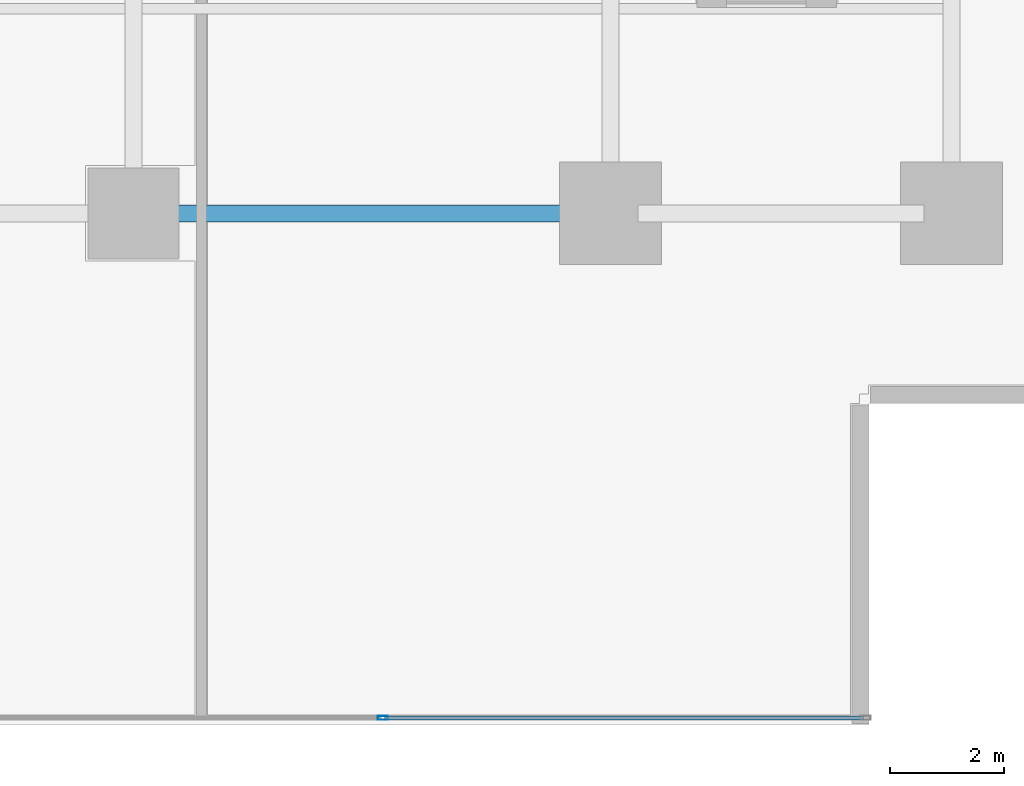
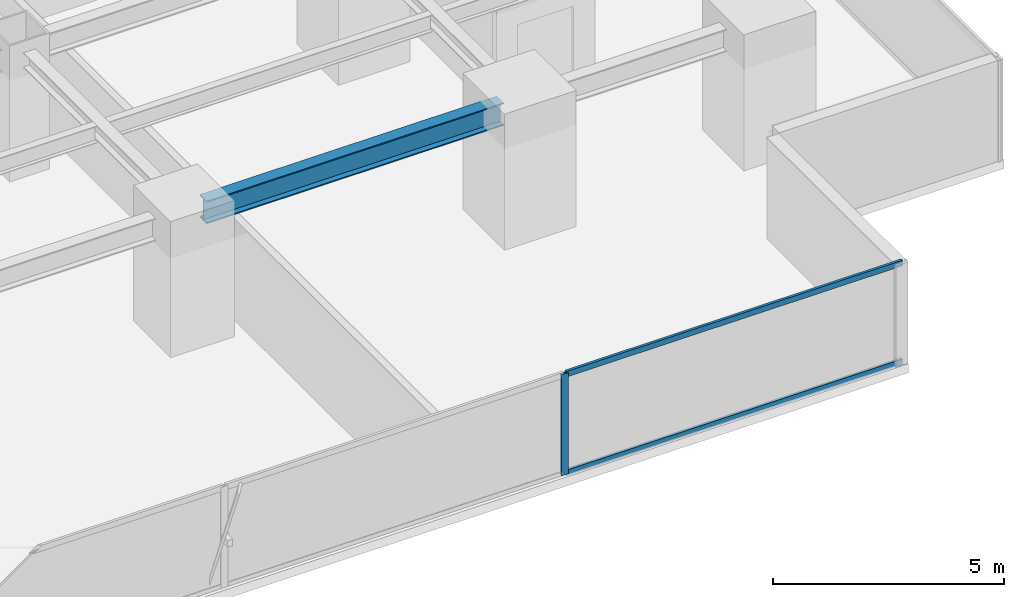
# One storey, part 11 of 33: 3 members, 1 beam, 1 element without a shape of its own.
"""IFC4 building model written with IfcOpenShell, lengths in metres."""

import ifcopenshell
import ifcopenshell.guid

model = None  # the IFC model being written
_history = None  # IfcOwnerHistory: only IFC2X3 demands one
_inside = {}  # id of a spatial element -> (the spatial element, [elements in it])
_under = {}  # id of a project, library or spatial element -> (it, [spatial elements below it])
_declared = {}  # id of a project -> (the project, [libraries it declares])
_typed = {}  # id of a type object -> (the type object, [elements of that type])
_made_of = {}  # id of a material, layer set ... -> (it, [elements and type objects made of it])


def new_model(schema):
    """Start an empty IFC model of exactly this schema.

    Asked for "IFC4X3", IfcOpenShell would pick the latest addendum, in which some entities
    have other attributes; the version numbers below select the first issue.
    IFC2X3 requires an IfcOwnerHistory on every rooted entity: one is made here for all.
    """
    global model, _history
    if schema == "IFC4X3":
        model = ifcopenshell.file(schema_version=(4, 3, 0, 0))
    else:
        model = ifcopenshell.file(schema=schema)
    _inside.clear()
    _under.clear()
    _declared.clear()
    _typed.clear()
    _made_of.clear()
    _history = None
    if model.schema == "IFC2X3":
        org = make("IfcOrganization", Name="unknown")
        user = make(
            "IfcPersonAndOrganization",
            ThePerson=make("IfcPerson", FamilyName="unknown"),
            TheOrganization=org,
        )
        app = make(
            "IfcApplication",
            ApplicationDeveloper=org,
            Version="unknown",
            ApplicationFullName="unknown",
            ApplicationIdentifier="unknown",
        )
        _history = make(
            "IfcOwnerHistory",
            OwningUser=user,
            OwningApplication=app,
            ChangeAction="ADDED",
            CreationDate=0,
        )
    return model


def make(cls, **values):
    """One entity of the class cls with the attributes given. An attribute that is None is left unset."""
    return model.create_entity(
        cls, **{name: value for name, value in values.items() if value is not None}
    )


def rooted(cls, **values):
    """An entity with a GlobalId (a new one), such as an element, a storey or a relation."""
    return make(cls, GlobalId=ifcopenshell.guid.new(), OwnerHistory=_history, **values)


def si_unit(unit_type, name, prefix=None):
    """IfcSIUnit, for example si_unit("LENGTHUNIT", "METRE", prefix="MILLI")."""
    return make("IfcSIUnit", UnitType=unit_type, Prefix=prefix, Name=name)


def assignment(units):
    """IfcUnitAssignment: the units of a project."""
    return None if units is None else make("IfcUnitAssignment", Units=units)


def point(xyz):
    """IfcCartesianPoint."""
    return None if xyz is None else make("IfcCartesianPoint", Coordinates=xyz)


def direction(xyz):
    """IfcDirection."""
    return None if xyz is None else make("IfcDirection", DirectionRatios=xyz)


def frame(location, z_axis=None, x_axis=None):
    """IfcAxis2Placement3D, a coordinate frame: its origin and axes. An axis left out is left unset."""
    return make(
        "IfcAxis2Placement3D",
        Location=point(location),
        Axis=direction(z_axis),
        RefDirection=direction(x_axis),
    )


def frame_2d(location, x_axis=None):
    """IfcAxis2Placement2D, a coordinate frame in the plane: its origin and x axis."""
    return make(
        "IfcAxis2Placement2D", Location=point(location), RefDirection=direction(x_axis)
    )


def origin():
    """The frame at (0, 0, 0) with its axes left unset."""
    return frame((0.0, 0.0, 0.0))


def origin_2d():
    """The frame at (0, 0) in the plane with its x axis left unset."""
    return frame_2d((0.0, 0.0))


def place(relative_to, where):
    """IfcLocalPlacement: puts the frame where relative to a parent placement (None: the world)."""
    return make(
        "IfcLocalPlacement", PlacementRelTo=relative_to, RelativePlacement=where
    )


def context(
    kind, dimensions, precision=None, world=None, true_north=None, identifier=None
):
    """IfcGeometricRepresentationContext, for example the 3D "Model" context."""
    return make(
        "IfcGeometricRepresentationContext",
        ContextIdentifier=identifier,
        ContextType=kind,
        CoordinateSpaceDimension=dimensions,
        Precision=precision,
        WorldCoordinateSystem=world,
        TrueNorth=true_north,
    )


def subcontext(parent, identifier, kind, view, scale=None):
    """IfcGeometricRepresentationSubContext, for example "Body" below "Model"."""
    return make(
        "IfcGeometricRepresentationSubContext",
        ContextIdentifier=identifier,
        ContextType=kind,
        ParentContext=parent,
        TargetScale=scale,
        TargetView=view,
    )


def project(units=None, contexts=None):
    """IfcProject with its units and contexts."""
    return rooted(
        "IfcProject",
        Name="project",
        RepresentationContexts=contexts,
        UnitsInContext=assignment(units),
    )


def spatial(cls, under=None, at=None, **own):
    """A site, building, storey or space (cls), placed at a placement, below another one or the project."""
    s = rooted(cls, ObjectPlacement=at, **own)
    if under is not None:
        _under.setdefault(under.id(), (under, []))[1].append(s)
    return s


def profile(cls, at=None, kind="AREA", **sizes):
    """A parametric profile (cls). Its sizes go by their IFC names, for example OverallWidth=200.0."""
    return make(cls, ProfileType=kind, Position=at, **sizes)


def hollow_rectangle(**sizes):
    """IfcRectangleHollowProfileDef."""
    return profile("IfcRectangleHollowProfileDef", **sizes)


def i_section(**sizes):
    """IfcIShapeProfileDef."""
    return profile("IfcIShapeProfileDef", **sizes)


def extrude(swept, where, along, depth):
    """IfcExtrudedAreaSolid: the profile swept, set in the frame where, extruded along a direction by depth."""
    return make(
        "IfcExtrudedAreaSolid",
        SweptArea=swept,
        Position=where,
        ExtrudedDirection=direction(along),
        Depth=depth,
    )


def shape(context_of_items, identifier, shape_type, items):
    """IfcShapeRepresentation: the items that make up one representation, for example the "Body"."""
    return make(
        "IfcShapeRepresentation",
        ContextOfItems=context_of_items,
        RepresentationIdentifier=identifier,
        RepresentationType=shape_type,
        Items=items,
    )


def source(mapping_origin, context_of_items, identifier, shape_type, items):
    """IfcRepresentationMap: a shape defined once, which mapped items show again and again."""
    return make(
        "IfcRepresentationMap",
        MappingOrigin=mapping_origin,
        MappedRepresentation=shape(context_of_items, identifier, shape_type, items),
    )


def transform(
    local_origin,
    x_axis=None,
    y_axis=None,
    z_axis=None,
    scale=None,
    scale2=None,
    scale3=None,
    uniform=True,
):
    """IfcCartesianTransformationOperator3D, or its non-uniform kind. x_axis, y_axis, z_axis: its Axis1, 2, 3."""
    if uniform:
        return make(
            "IfcCartesianTransformationOperator3D",
            Axis1=direction(x_axis),
            Axis2=direction(y_axis),
            LocalOrigin=point(local_origin),
            Scale=scale,
            Axis3=direction(z_axis),
        )
    return make(
        "IfcCartesianTransformationOperator3DnonUniform",
        Axis1=direction(x_axis),
        Axis2=direction(y_axis),
        LocalOrigin=point(local_origin),
        Scale=scale,
        Axis3=direction(z_axis),
        Scale2=scale2,
        Scale3=scale3,
    )


def mapped(mapping_source, mapping_target):
    """IfcMappedItem: shows the shape of a source again, moved by a transform."""
    return make(
        "IfcMappedItem", MappingSource=mapping_source, MappingTarget=mapping_target
    )


def material(Name=None, Category=None):
    """IfcMaterial."""
    return make("IfcMaterial", Name=Name, Category=Category)


def layer(
    of_material, thickness, ventilated=None, Name=None, Category=None, Priority=None
):
    """IfcMaterialLayer: one layer of a wall or slab, of a material (None: an air gap)."""
    return make(
        "IfcMaterialLayer",
        Material=of_material,
        LayerThickness=thickness,
        IsVentilated=ventilated,
        Name=Name,
        Category=Category,
        Priority=Priority,
    )


def layer_set(layers, Name=None):
    """IfcMaterialLayerSet."""
    return make("IfcMaterialLayerSet", MaterialLayers=layers, LayerSetName=Name)


def material_profile(
    of_material, cross_section, Name=None, Category=None, Priority=None
):
    """IfcMaterialProfile: a cross section and its material."""
    return make(
        "IfcMaterialProfile",
        Name=Name,
        Material=of_material,
        Profile=cross_section,
        Priority=Priority,
        Category=Category,
    )


def profile_set(profiles, Name=None, composite=None):
    """IfcMaterialProfileSet."""
    return make(
        "IfcMaterialProfileSet",
        Name=Name,
        MaterialProfiles=profiles,
        CompositeProfile=composite,
    )


def made_of(thing, what):
    """Note that an element or type object is made of a material, layer set ...; save() writes the relation."""
    if what is not None:
        _made_of.setdefault(what.id(), (what, []))[1].append(thing)
    return thing


def type_object(cls, material=None, **own):
    """A type object (cls), such as IfcWallType, which elements share."""
    return made_of(rooted(cls, **own), material)


def element(
    cls,
    number,
    at=None,
    inside=None,
    cuts=None,
    type_object=None,
    material=None,
    context=None,
    identifier="Body",
    shape_type=None,
    held_by="IfcProductDefinitionShape",
    body=None,
    shapes=None,
    **own,
):
    """One element of the class cls, such as IfcWall. Its Tag is "e" and its number.

    at: its placement. inside: the storey or other place that contains it. cuts: it is an
    opening in that element (IfcRelVoidsElement). A single representation is given by context,
    identifier, shape_type and body (its items); several are given by shapes. held_by: the class
    of the entity that holds the representations. save() writes the other relations.
    """
    e = rooted(cls, Tag="e%d" % number, ObjectPlacement=at, **own)
    if body is not None:
        shapes = [shape(context, identifier, shape_type, body)]
    if shapes is not None:
        e.Representation = make(held_by, Representations=shapes)
    if inside is not None:
        _inside.setdefault(inside.id(), (inside, []))[1].append(e)
    if cuts is not None:
        rooted(
            "IfcRelVoidsElement", RelatingBuildingElement=cuts, RelatedOpeningElement=e
        )
    if type_object is not None:
        _typed.setdefault(type_object.id(), (type_object, []))[1].append(e)
    return made_of(e, material)


def aggregate(whole, parts):
    """IfcRelAggregates: a whole, such as a stair, and the parts it consists of."""
    return rooted("IfcRelAggregates", RelatingObject=whole, RelatedObjects=parts)


def save(model, path):
    """Write the relations noted so far, then the file.

    IfcRelAggregates (storeys below a building ...), IfcRelContainedInSpatialStructure (elements
    in a storey), IfcRelDefinesByType, IfcRelAssociatesMaterial and IfcRelDeclares: one each for
    every whole, place, type object, material and project.
    """
    for whole, parts in _under.values():
        aggregate(whole, parts)
    for where, things in _inside.values():
        rooted(
            "IfcRelContainedInSpatialStructure",
            RelatedElements=things,
            RelatingStructure=where,
        )
    for kind, things in _typed.values():
        rooted("IfcRelDefinesByType", RelatedObjects=things, RelatingType=kind)
    for what, things in _made_of.values():
        rooted("IfcRelAssociatesMaterial", RelatedObjects=things, RelatingMaterial=what)
    for by, libraries in _declared.values():
        rooted("IfcRelDeclares", RelatingContext=by, RelatedDefinitions=libraries)
    model.write(path)


model = new_model("IFC4")

# Units and contexts
model_context = context("Model", 3, precision=1e-05, world=origin(), true_north=direction((0.0, 1.0)))
body_context = subcontext(model_context, "Body", "Model", "MODEL_VIEW")
ifc_project = project(units=[si_unit("LENGTHUNIT", "METRE"), si_unit("AREAUNIT", "SQUARE_METRE"), si_unit("VOLUMEUNIT", "CUBIC_METRE"), si_unit("PLANEANGLEUNIT", "RADIAN"), si_unit("MASSUNIT", "GRAM", prefix="KILO")], contexts=[model_context])

# Site, building, storey
site_placement = place(None, origin())
site = spatial("IfcSite", under=ifc_project, at=site_placement, CompositionType="ELEMENT")
building_placement = place(site_placement, origin())
building = spatial("IfcBuilding", under=site, at=building_placement, Name="Sumidabori Civic Tower", CompositionType="ELEMENT")
storey_placement = place(building_placement, frame((0.0, 0.0, 66.800048828125)))
storey = spatial("IfcBuildingStorey", under=building, at=storey_placement, Name="L17", CompositionType="ELEMENT", Elevation=66.800048828125)

# Beam
ifc_material_1 = material(Name="Steel SN490", Category="steel")
ifc_material_profile_1 = material_profile(ifc_material_1, i_section(OverallWidth=0.300048828125, OverallDepth=0.60009765625, WebThickness=0.015380859375, FlangeThickness=0.030029296875, at=origin_2d()), Name="HE 600 B")
ifc_profile_set_1 = profile_set([ifc_material_profile_1], Name="Steel SN490")
beam_type = type_object("IfcBeamType", Name="BM-GIRD-600", PredefinedType="BEAM", material=ifc_profile_set_1)
shared_shape_1 = source(origin(), body_context, "Body", "SweptSolid", [
    extrude(i_section(OverallWidth=0.300048828125, OverallDepth=0.60009765625, WebThickness=0.015380859375, FlangeThickness=0.030029296875, at=origin_2d()), origin(), (0.0, 0.0, 1.0), 7.440185546875),
])
beam_placement = place(storey_placement, frame((8.8798828125, -18.0, 3.0), z_axis=(1.0, 0.0, 0.0), x_axis=(0.0, 1.0, 0.0)))
element("IfcBeam", 1, at=beam_placement, inside=storey, type_object=beam_type, Name="Primary Girder L17 GX-05", PredefinedType="BEAM", context=body_context, shape_type="MappedRepresentation", body=[
    mapped(shared_shape_1, transform((0.0, 0.0, 0.0), x_axis=(1.0, 0.0, 0.0), y_axis=(0.0, 1.0, 0.0), z_axis=(0.0, 0.0, 1.0), scale=1.0)),
])

# Curtain wall, members
ifc_material_2 = material(Name="Anodised Bronze Aluminium AW-6063-T6", Category="aluminium")
ifc_layer = layer(ifc_material_2, 0.179931640625, Name="Anodised Bronze Aluminium AW-6063-T6")
ifc_layer_set = layer_set([ifc_layer], Name="Anodised Bronze Aluminium AW-6063-T6")
curtain_wall_type = type_object("IfcCurtainWallType", Name="CW-SYS-2", PredefinedType="NOTDEFINED", material=ifc_layer_set)
curtain_wall_placement = place(storey_placement, origin())
curtain_wall = element("IfcCurtainWall", 2, at=curtain_wall_placement, inside=storey, type_object=curtain_wall_type, Name="Curtain Wall CW:L17:R01", PredefinedType="NOTDEFINED")
ifc_material_profile_2 = material_profile(ifc_material_2, hollow_rectangle(XDim=0.06494140625, YDim=0.14990234375, WallThickness=0.0048828125, at=origin_2d()), Name="ALU TRANSOM 150x65")
ifc_profile_set_2 = profile_set([ifc_material_profile_2], Name="Anodised Bronze Aluminium AW-6063-T6")
member_type_1 = type_object("IfcMemberType", Name="CW-TRN-150", PredefinedType="USERDEFINED", material=ifc_profile_set_2)
shared_shape_2 = source(origin(), body_context, "Body", "SweptSolid", [
    extrude(hollow_rectangle(XDim=0.06494140625, YDim=0.14990234375, WallThickness=0.0048828125, at=origin_2d()), origin(), (0.0, 0.0, 1.0), 8.423095703125),
])
member_1_placement = place(storey_placement, frame((12.826904296875, -26.8798828125, 0.032470703125), z_axis=(1.0, 0.0, 0.0), x_axis=(0.0, 1.0, 0.0)))
member_1 = element("IfcMember", 3, at=member_1_placement, type_object=member_type_1, Name="CW-2 transom 5.1", ObjectType="TRANSOM", PredefinedType="USERDEFINED", context=body_context, shape_type="MappedRepresentation", body=[
    mapped(shared_shape_2, transform((0.0, 0.0, 0.0), x_axis=(1.0, 0.0, 0.0), y_axis=(0.0, 1.0, 0.0), z_axis=(0.0, 0.0, 1.0), scale=1.0)),
])
member_2_placement = place(storey_placement, frame((12.826904296875, -26.8798828125, 2.6474609375), z_axis=(1.0, 0.0, 0.0), x_axis=(0.0, 1.0, 0.0)))
member_2 = element("IfcMember", 4, at=member_2_placement, type_object=member_type_1, Name="CW-2 transom 5.2", ObjectType="TRANSOM", PredefinedType="USERDEFINED", context=body_context, shape_type="MappedRepresentation", body=[
    mapped(shared_shape_2, transform((0.0, 0.0, 0.0), x_axis=(1.0, 0.0, 0.0), y_axis=(0.0, 1.0, 0.0), z_axis=(0.0, 0.0, 1.0), scale=1.0)),
])
ifc_material_profile_3 = material_profile(ifc_material_2, hollow_rectangle(XDim=0.070068359375, YDim=0.179931640625, WallThickness=0.006103515625, at=origin_2d()), Name="ALU MULLION 180x70")
ifc_profile_set_3 = profile_set([ifc_material_profile_3], Name="Anodised Bronze Aluminium AW-6063-T6")
member_type_2 = type_object("IfcMemberType", Name="CW-MUL-180", PredefinedType="MULLION", material=ifc_profile_set_3)
shared_shape_3 = source(origin(), body_context, "Body", "SweptSolid", [
    extrude(hollow_rectangle(XDim=0.070068359375, YDim=0.179931640625, WallThickness=0.006103515625, at=origin_2d()), origin(), (0.0, 0.0, 1.0), 2.679931640625),
])
member_3_placement = place(storey_placement, frame((12.7919921875, -26.8798828125, 0.0), z_axis=(0.0, 0.0, 1.0), x_axis=(0.0, 1.0, 0.0)))
member_3 = element("IfcMember", 5, at=member_3_placement, type_object=member_type_2, Name="CW-2 mullion 5", PredefinedType="MULLION", context=body_context, shape_type="MappedRepresentation", body=[
    mapped(shared_shape_3, transform((0.0, 0.0, 0.0), x_axis=(1.0, 0.0, 0.0), y_axis=(0.0, 1.0, 0.0), z_axis=(0.0, 0.0, 1.0), scale=1.0)),
])
aggregate(curtain_wall, [member_3, member_1, member_2])

save(model, "model.ifc")
